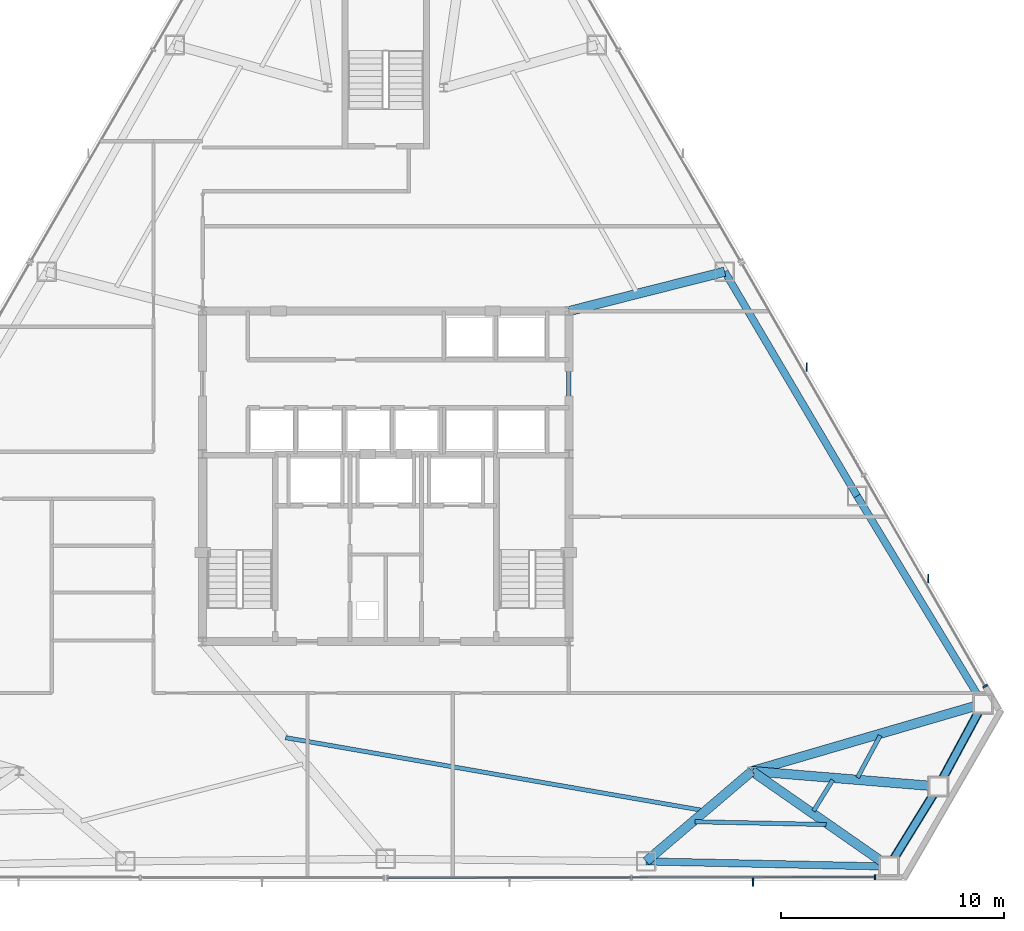
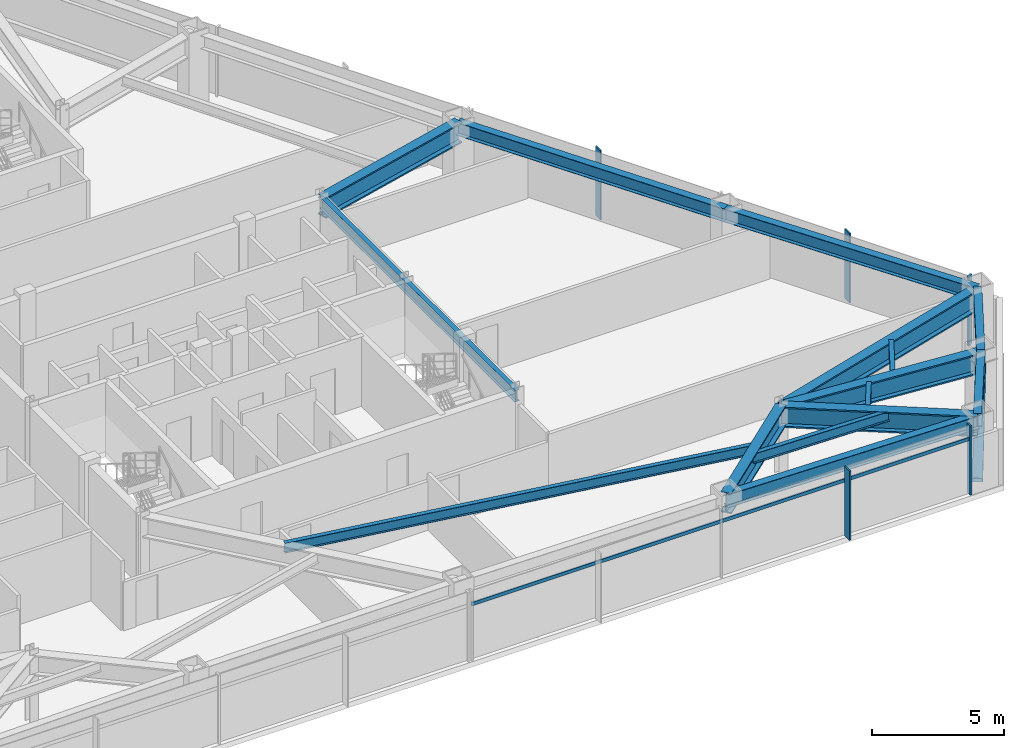
# One storey, part 6 of 12: 15 beams, 8 members, 2 elements without a shape of their own.
"""IFC4 building model written with IfcOpenShell, lengths in metres."""

import ifcopenshell
import ifcopenshell.guid

model = None  # the IFC model being written
_history = None  # IfcOwnerHistory: only IFC2X3 demands one
_inside = {}  # id of a spatial element -> (the spatial element, [elements in it])
_under = {}  # id of a project, library or spatial element -> (it, [spatial elements below it])
_declared = {}  # id of a project -> (the project, [libraries it declares])
_typed = {}  # id of a type object -> (the type object, [elements of that type])
_made_of = {}  # id of a material, layer set ... -> (it, [elements and type objects made of it])


def new_model(schema):
    """Start an empty IFC model of exactly this schema.

    Asked for "IFC4X3", IfcOpenShell would pick the latest addendum, in which some entities
    have other attributes; the version numbers below select the first issue.
    IFC2X3 requires an IfcOwnerHistory on every rooted entity: one is made here for all.
    """
    global model, _history
    if schema == "IFC4X3":
        model = ifcopenshell.file(schema_version=(4, 3, 0, 0))
    else:
        model = ifcopenshell.file(schema=schema)
    _inside.clear()
    _under.clear()
    _declared.clear()
    _typed.clear()
    _made_of.clear()
    _history = None
    if model.schema == "IFC2X3":
        org = make("IfcOrganization", Name="unknown")
        user = make(
            "IfcPersonAndOrganization",
            ThePerson=make("IfcPerson", FamilyName="unknown"),
            TheOrganization=org,
        )
        app = make(
            "IfcApplication",
            ApplicationDeveloper=org,
            Version="unknown",
            ApplicationFullName="unknown",
            ApplicationIdentifier="unknown",
        )
        _history = make(
            "IfcOwnerHistory",
            OwningUser=user,
            OwningApplication=app,
            ChangeAction="ADDED",
            CreationDate=0,
        )
    return model


def make(cls, **values):
    """One entity of the class cls with the attributes given. An attribute that is None is left unset."""
    return model.create_entity(
        cls, **{name: value for name, value in values.items() if value is not None}
    )


def rooted(cls, **values):
    """An entity with a GlobalId (a new one), such as an element, a storey or a relation."""
    return make(cls, GlobalId=ifcopenshell.guid.new(), OwnerHistory=_history, **values)


def si_unit(unit_type, name, prefix=None):
    """IfcSIUnit, for example si_unit("LENGTHUNIT", "METRE", prefix="MILLI")."""
    return make("IfcSIUnit", UnitType=unit_type, Prefix=prefix, Name=name)


def assignment(units):
    """IfcUnitAssignment: the units of a project."""
    return None if units is None else make("IfcUnitAssignment", Units=units)


def point(xyz):
    """IfcCartesianPoint."""
    return None if xyz is None else make("IfcCartesianPoint", Coordinates=xyz)


def direction(xyz):
    """IfcDirection."""
    return None if xyz is None else make("IfcDirection", DirectionRatios=xyz)


def frame(location, z_axis=None, x_axis=None):
    """IfcAxis2Placement3D, a coordinate frame: its origin and axes. An axis left out is left unset."""
    return make(
        "IfcAxis2Placement3D",
        Location=point(location),
        Axis=direction(z_axis),
        RefDirection=direction(x_axis),
    )


def frame_2d(location, x_axis=None):
    """IfcAxis2Placement2D, a coordinate frame in the plane: its origin and x axis."""
    return make(
        "IfcAxis2Placement2D", Location=point(location), RefDirection=direction(x_axis)
    )


def origin():
    """The frame at (0, 0, 0) with its axes left unset."""
    return frame((0.0, 0.0, 0.0))


def origin_2d():
    """The frame at (0, 0) in the plane with its x axis left unset."""
    return frame_2d((0.0, 0.0))


def place(relative_to, where):
    """IfcLocalPlacement: puts the frame where relative to a parent placement (None: the world)."""
    return make(
        "IfcLocalPlacement", PlacementRelTo=relative_to, RelativePlacement=where
    )


def context(
    kind, dimensions, precision=None, world=None, true_north=None, identifier=None
):
    """IfcGeometricRepresentationContext, for example the 3D "Model" context."""
    return make(
        "IfcGeometricRepresentationContext",
        ContextIdentifier=identifier,
        ContextType=kind,
        CoordinateSpaceDimension=dimensions,
        Precision=precision,
        WorldCoordinateSystem=world,
        TrueNorth=true_north,
    )


def subcontext(parent, identifier, kind, view, scale=None):
    """IfcGeometricRepresentationSubContext, for example "Body" below "Model"."""
    return make(
        "IfcGeometricRepresentationSubContext",
        ContextIdentifier=identifier,
        ContextType=kind,
        ParentContext=parent,
        TargetScale=scale,
        TargetView=view,
    )


def project(units=None, contexts=None):
    """IfcProject with its units and contexts."""
    return rooted(
        "IfcProject",
        Name="project",
        RepresentationContexts=contexts,
        UnitsInContext=assignment(units),
    )


def spatial(cls, under=None, at=None, **own):
    """A site, building, storey or space (cls), placed at a placement, below another one or the project."""
    s = rooted(cls, ObjectPlacement=at, **own)
    if under is not None:
        _under.setdefault(under.id(), (under, []))[1].append(s)
    return s


def profile(cls, at=None, kind="AREA", **sizes):
    """A parametric profile (cls). Its sizes go by their IFC names, for example OverallWidth=200.0."""
    return make(cls, ProfileType=kind, Position=at, **sizes)


def rectangle(**sizes):
    """IfcRectangleProfileDef."""
    return profile("IfcRectangleProfileDef", **sizes)


def hollow_rectangle(**sizes):
    """IfcRectangleHollowProfileDef."""
    return profile("IfcRectangleHollowProfileDef", **sizes)


def i_section(**sizes):
    """IfcIShapeProfileDef."""
    return profile("IfcIShapeProfileDef", **sizes)


def extrude(swept, where, along, depth):
    """IfcExtrudedAreaSolid: the profile swept, set in the frame where, extruded along a direction by depth."""
    return make(
        "IfcExtrudedAreaSolid",
        SweptArea=swept,
        Position=where,
        ExtrudedDirection=direction(along),
        Depth=depth,
    )


def shape(context_of_items, identifier, shape_type, items):
    """IfcShapeRepresentation: the items that make up one representation, for example the "Body"."""
    return make(
        "IfcShapeRepresentation",
        ContextOfItems=context_of_items,
        RepresentationIdentifier=identifier,
        RepresentationType=shape_type,
        Items=items,
    )


def source(mapping_origin, context_of_items, identifier, shape_type, items):
    """IfcRepresentationMap: a shape defined once, which mapped items show again and again."""
    return make(
        "IfcRepresentationMap",
        MappingOrigin=mapping_origin,
        MappedRepresentation=shape(context_of_items, identifier, shape_type, items),
    )


def transform(
    local_origin,
    x_axis=None,
    y_axis=None,
    z_axis=None,
    scale=None,
    scale2=None,
    scale3=None,
    uniform=True,
):
    """IfcCartesianTransformationOperator3D, or its non-uniform kind. x_axis, y_axis, z_axis: its Axis1, 2, 3."""
    if uniform:
        return make(
            "IfcCartesianTransformationOperator3D",
            Axis1=direction(x_axis),
            Axis2=direction(y_axis),
            LocalOrigin=point(local_origin),
            Scale=scale,
            Axis3=direction(z_axis),
        )
    return make(
        "IfcCartesianTransformationOperator3DnonUniform",
        Axis1=direction(x_axis),
        Axis2=direction(y_axis),
        LocalOrigin=point(local_origin),
        Scale=scale,
        Axis3=direction(z_axis),
        Scale2=scale2,
        Scale3=scale3,
    )


def mapped(mapping_source, mapping_target):
    """IfcMappedItem: shows the shape of a source again, moved by a transform."""
    return make(
        "IfcMappedItem", MappingSource=mapping_source, MappingTarget=mapping_target
    )


def material(Name=None, Category=None):
    """IfcMaterial."""
    return make("IfcMaterial", Name=Name, Category=Category)


def layer(
    of_material, thickness, ventilated=None, Name=None, Category=None, Priority=None
):
    """IfcMaterialLayer: one layer of a wall or slab, of a material (None: an air gap)."""
    return make(
        "IfcMaterialLayer",
        Material=of_material,
        LayerThickness=thickness,
        IsVentilated=ventilated,
        Name=Name,
        Category=Category,
        Priority=Priority,
    )


def layer_set(layers, Name=None):
    """IfcMaterialLayerSet."""
    return make("IfcMaterialLayerSet", MaterialLayers=layers, LayerSetName=Name)


def material_profile(
    of_material, cross_section, Name=None, Category=None, Priority=None
):
    """IfcMaterialProfile: a cross section and its material."""
    return make(
        "IfcMaterialProfile",
        Name=Name,
        Material=of_material,
        Profile=cross_section,
        Priority=Priority,
        Category=Category,
    )


def profile_set(profiles, Name=None, composite=None):
    """IfcMaterialProfileSet."""
    return make(
        "IfcMaterialProfileSet",
        Name=Name,
        MaterialProfiles=profiles,
        CompositeProfile=composite,
    )


def made_of(thing, what):
    """Note that an element or type object is made of a material, layer set ...; save() writes the relation."""
    if what is not None:
        _made_of.setdefault(what.id(), (what, []))[1].append(thing)
    return thing


def type_object(cls, material=None, **own):
    """A type object (cls), such as IfcWallType, which elements share."""
    return made_of(rooted(cls, **own), material)


def type_shapes(of_type, sources):
    """Give a type object the sources (RepresentationMaps) that its elements show as mapped items."""
    of_type.RepresentationMaps = sources


def element(
    cls,
    number,
    at=None,
    inside=None,
    cuts=None,
    type_object=None,
    material=None,
    context=None,
    identifier="Body",
    shape_type=None,
    held_by="IfcProductDefinitionShape",
    body=None,
    shapes=None,
    **own,
):
    """One element of the class cls, such as IfcWall. Its Tag is "e" and its number.

    at: its placement. inside: the storey or other place that contains it. cuts: it is an
    opening in that element (IfcRelVoidsElement). A single representation is given by context,
    identifier, shape_type and body (its items); several are given by shapes. held_by: the class
    of the entity that holds the representations. save() writes the other relations.
    """
    e = rooted(cls, Tag="e%d" % number, ObjectPlacement=at, **own)
    if body is not None:
        shapes = [shape(context, identifier, shape_type, body)]
    if shapes is not None:
        e.Representation = make(held_by, Representations=shapes)
    if inside is not None:
        _inside.setdefault(inside.id(), (inside, []))[1].append(e)
    if cuts is not None:
        rooted(
            "IfcRelVoidsElement", RelatingBuildingElement=cuts, RelatedOpeningElement=e
        )
    if type_object is not None:
        _typed.setdefault(type_object.id(), (type_object, []))[1].append(e)
    return made_of(e, material)


def aggregate(whole, parts):
    """IfcRelAggregates: a whole, such as a stair, and the parts it consists of."""
    return rooted("IfcRelAggregates", RelatingObject=whole, RelatedObjects=parts)


def save(model, path):
    """Write the relations noted so far, then the file.

    IfcRelAggregates (storeys below a building ...), IfcRelContainedInSpatialStructure (elements
    in a storey), IfcRelDefinesByType, IfcRelAssociatesMaterial and IfcRelDeclares: one each for
    every whole, place, type object, material and project.
    """
    for whole, parts in _under.values():
        aggregate(whole, parts)
    for where, things in _inside.values():
        rooted(
            "IfcRelContainedInSpatialStructure",
            RelatedElements=things,
            RelatingStructure=where,
        )
    for kind, things in _typed.values():
        rooted("IfcRelDefinesByType", RelatedObjects=things, RelatingType=kind)
    for what, things in _made_of.values():
        rooted("IfcRelAssociatesMaterial", RelatedObjects=things, RelatingMaterial=what)
    for by, libraries in _declared.values():
        rooted("IfcRelDeclares", RelatingContext=by, RelatedDefinitions=libraries)
    model.write(path)


model = new_model("IFC4")

# Units and contexts
model_context = context("Model", 3, precision=1e-05, world=origin(), true_north=direction((0.0, 1.0)))
body_context = subcontext(model_context, "Body", "Model", "MODEL_VIEW")
ifc_project = project(units=[si_unit("LENGTHUNIT", "METRE"), si_unit("AREAUNIT", "SQUARE_METRE"), si_unit("VOLUMEUNIT", "CUBIC_METRE"), si_unit("PLANEANGLEUNIT", "RADIAN"), si_unit("MASSUNIT", "GRAM", prefix="KILO")], contexts=[model_context])

# Site, building, storey
site_placement = place(None, origin())
site = spatial("IfcSite", under=ifc_project, at=site_placement, CompositionType="ELEMENT")
building_placement = place(site_placement, origin())
building = spatial("IfcBuilding", under=site, at=building_placement, Name="Varakhsha Concourse Tower", CompositionType="ELEMENT")
storey_placement = place(building_placement, frame((0.0, 0.0, 119.449951171875)))
storey = spatial("IfcBuildingStorey", under=building, at=storey_placement, Name="L34", CompositionType="ELEMENT", Elevation=119.449951171875)

# Beams
ifc_material_1 = material(Name="Structural Steel ASTM A992 Grade 50", Category="steel")
ifc_material_profile_1 = material_profile(ifc_material_1, i_section(OverallWidth=0.19091796875, OverallDepth=0.45703125, WebThickness=0.009033203125, FlangeThickness=0.013916015625, at=origin_2d()), Name="W18X50")
ifc_profile_set_1 = profile_set([ifc_material_profile_1], Name="Structural Steel ASTM A992 Grade 50")
beam_type_1 = type_object("IfcBeamType", Name="BM-JST-W18X50", PredefinedType="JOIST", material=ifc_profile_set_1)
beam_1_placement = place(storey_placement, frame((35.516357421875, 12.1005859375, 2.9814453125), z_axis=(0.985132222832, -0.171797856619, 0.0), x_axis=(0.171797856619, 0.985132222832, 0.0)))
element("IfcBeam", 1, at=beam_1_placement, inside=storey, type_object=beam_type_1, Name="BM-TJST-L34-11", PredefinedType="JOIST", context=body_context, shape_type="SweptSolid", body=[
    extrude(i_section(OverallWidth=0.19091796875, OverallDepth=0.45703125, WebThickness=0.009033203125, FlangeThickness=0.013916015625, at=origin_2d()), origin(), (0.0, 0.0, 1.0), 18.972900390625),
])
beam_2_placement = place(storey_placement, frame((53.857177734375, 8.3349609375, 2.9814453125), z_axis=(0.999775026697, -0.021210751846, 0.0), x_axis=(0.021210751846, 0.999775026697, 0.0)))
element("IfcBeam", 2, at=beam_2_placement, inside=storey, type_object=beam_type_1, Name="BM-TJST-L34-12", PredefinedType="JOIST", context=body_context, shape_type="SweptSolid", body=[
    extrude(i_section(OverallWidth=0.19091796875, OverallDepth=0.45703125, WebThickness=0.009033203125, FlangeThickness=0.013916015625, at=origin_2d()), origin(), (0.0, 0.0, 1.0), 5.8701171875),
])
beam_3_placement = place(storey_placement, frame((59.157470703125, 8.814208984375, 2.9814453125), z_axis=(0.524639543075, 0.851324468016, 0.0), x_axis=(-0.851324468016, 0.524639543075, 0.0)))
element("IfcBeam", 3, at=beam_3_placement, inside=storey, type_object=beam_type_1, Name="BM-TJST-L34-13", PredefinedType="JOIST", context=body_context, shape_type="SweptSolid", body=[
    extrude(i_section(OverallWidth=0.19091796875, OverallDepth=0.45703125, WebThickness=0.009033203125, FlangeThickness=0.013916015625, at=origin_2d()), origin(), (0.0, 0.0, 1.0), 1.6328125),
])
beam_4_placement = place(storey_placement, frame((61.12548828125, 10.312255859375, 2.9814453125), z_axis=(0.474903123938, 0.880038080354, 0.0), x_axis=(-0.880038080354, 0.474903123938, 0.0)))
element("IfcBeam", 4, at=beam_4_placement, inside=storey, type_object=beam_type_1, Name="BM-TJST-L34-14", PredefinedType="JOIST", context=body_context, shape_type="SweptSolid", body=[
    extrude(i_section(OverallWidth=0.19091796875, OverallDepth=0.45703125, WebThickness=0.009033203125, FlangeThickness=0.013916015625, at=origin_2d()), origin(), (0.0, 0.0, 1.0), 2.13818359375),
])
ifc_material_profile_2 = material_profile(ifc_material_1, i_section(OverallWidth=0.423095703125, OverallDepth=0.947998046875, WebThickness=0.0380859375, FlangeThickness=0.06396484375, at=origin_2d()), Name="W36X302")
ifc_profile_set_2 = profile_set([ifc_material_profile_2], Name="Structural Steel ASTM A992 Grade 50")
beam_type_2 = type_object("IfcBeamType", Name="BM-OUTR-W36X302", PredefinedType="USERDEFINED", material=ifc_profile_set_2)
beam_5_placement = place(storey_placement, frame((56.39990234375, 10.60009765625, 2.736083984375), z_axis=(-0.760826549382, -0.648955284866, 0.0), x_axis=(0.648955284866, -0.760826549382, 0.0)))
element("IfcBeam", 5, at=beam_5_placement, inside=storey, type_object=beam_type_2, Name="L34 Radial Floor Girder 12", ObjectType="GIRDER", PredefinedType="USERDEFINED", context=body_context, shape_type="SweptSolid", body=[
    extrude(i_section(OverallWidth=0.423095703125, OverallDepth=0.947998046875, WebThickness=0.0380859375, FlangeThickness=0.06396484375, at=origin_2d()), origin(), (0.0, 0.0, 1.0), 6.226318359375),
])
beam_6_placement = place(storey_placement, frame((56.39990234375, 10.60009765625, 2.736083984375), z_axis=(0.820723448581, -0.57132566978, 0.0), x_axis=(0.57132566978, 0.820723448581, 0.0)))
element("IfcBeam", 6, at=beam_6_placement, inside=storey, type_object=beam_type_2, Name="L34 Radial Floor Girder 13", ObjectType="GIRDER", PredefinedType="USERDEFINED", context=body_context, shape_type="SweptSolid", body=[
    extrude(i_section(OverallWidth=0.423095703125, OverallDepth=0.947998046875, WebThickness=0.0380859375, FlangeThickness=0.06396484375, at=origin_2d()), origin(), (0.0, 0.0, 1.0), 7.47607421875),
])
beam_7_placement = place(storey_placement, frame((56.39990234375, 10.60009765625, 2.736083984375), z_axis=(0.996630888182, -0.082017514729, 0.0), x_axis=(0.082017514729, 0.996630888182, 0.0)))
element("IfcBeam", 7, at=beam_7_placement, inside=storey, type_object=beam_type_2, Name="L34 Radial Floor Girder 14", ObjectType="GIRDER", PredefinedType="USERDEFINED", context=body_context, shape_type="SweptSolid", body=[
    extrude(i_section(OverallWidth=0.423095703125, OverallDepth=0.947998046875, WebThickness=0.0380859375, FlangeThickness=0.06396484375, at=origin_2d()), origin(), (0.0, 0.0, 1.0), 8.37353515625),
])
beam_8_placement = place(storey_placement, frame((56.39990234375, 10.60009765625, 2.736083984375), z_axis=(0.959956092068, 0.280150497593, 0.0), x_axis=(-0.280150497593, 0.959956092068, 0.0)))
element("IfcBeam", 8, at=beam_8_placement, inside=storey, type_object=beam_type_2, Name="L34 Radial Floor Girder 15", ObjectType="GIRDER", PredefinedType="USERDEFINED", context=body_context, shape_type="SweptSolid", body=[
    extrude(i_section(OverallWidth=0.423095703125, OverallDepth=0.947998046875, WebThickness=0.0380859375, FlangeThickness=0.06396484375, at=origin_2d()), origin(), (0.0, 0.0, 1.0), 10.776611328125),
])
beam_9_placement = place(storey_placement, frame((48.199951171875, 31.199951171875, 2.736083984375), z_axis=(0.969508926841, 0.245055995183, 0.0), x_axis=(-0.245055995183, 0.969508926841, 0.0)))
element("IfcBeam", 9, at=beam_9_placement, inside=storey, type_object=beam_type_2, Name="L34 Radial Floor Girder 17", ObjectType="GIRDER", PredefinedType="USERDEFINED", context=body_context, shape_type="SweptSolid", body=[
    extrude(i_section(OverallWidth=0.423095703125, OverallDepth=0.947998046875, WebThickness=0.0380859375, FlangeThickness=0.06396484375, at=origin_2d()), origin(), (0.0, 0.0, 1.0), 7.199951171875),
])
ifc_material_profile_3 = material_profile(ifc_material_1, i_section(OverallWidth=0.2109375, OverallDepth=0.5390625, WebThickness=0.011962890625, FlangeThickness=0.01904296875, at=origin_2d()), Name="W21X73")
ifc_profile_set_3 = profile_set([ifc_material_profile_3], Name="Structural Steel ASTM A992 Grade 50")
beam_type_3 = type_object("IfcBeamType", Name="BM-RAD-W21X73", PredefinedType="BEAM", material=ifc_profile_set_3)
beam_10_placement = place(storey_placement, frame((48.199951171875, 16.39990234375, 2.9404296875), z_axis=(0.0, 1.0, 0.0), x_axis=(-1.0, 0.0, 0.0)))
element("IfcBeam", 10, at=beam_10_placement, inside=storey, type_object=beam_type_3, Name="BM-TCORE-L34-CE", PredefinedType="BEAM", context=body_context, shape_type="SweptSolid", body=[
    extrude(i_section(OverallWidth=0.2109375, OverallDepth=0.5390625, WebThickness=0.011962890625, FlangeThickness=0.01904296875, at=origin_2d()), origin(), (0.0, 0.0, 1.0), 14.800048828125),
])
ifc_material_profile_4 = material_profile(ifc_material_1, i_section(OverallWidth=0.323974609375, OverallDepth=0.611083984375, WebThickness=0.012939453125, FlangeThickness=0.01904296875, at=origin_2d()), Name="W24X104")
ifc_profile_set_4 = profile_set([ifc_material_profile_4], Name="Structural Steel ASTM A992 Grade 50")
beam_type_4 = type_object("IfcBeamType", Name="BM-SPAN-W24X104", PredefinedType="SPANDREL", material=ifc_profile_set_4)
beam_11_placement = place(storey_placement, frame((51.662841796875, 6.5595703125, 2.904541015625), z_axis=(0.999774947376, -0.021214490295, 0.0), x_axis=(0.021214490295, 0.999774947376, 0.0)))
element("IfcBeam", 11, at=beam_11_placement, inside=storey, type_object=beam_type_4, Name="BM-SPAN-L34-12", PredefinedType="SPANDREL", context=body_context, shape_type="SweptSolid", body=[
    extrude(i_section(OverallWidth=0.323974609375, OverallDepth=0.611083984375, WebThickness=0.012939453125, FlangeThickness=0.01904296875, at=origin_2d()), origin(), (0.0, 0.0, 1.0), 10.875244140625),
])
beam_12_placement = place(storey_placement, frame((62.53564453125, 6.328857421875, 2.904541015625), z_axis=(0.524724867896, 0.851271879608, 0.0), x_axis=(-0.851271879608, 0.524724867896, 0.0)))
element("IfcBeam", 12, at=beam_12_placement, inside=storey, type_object=beam_type_4, Name="BM-SPAN-L34-13", PredefinedType="SPANDREL", context=body_context, shape_type="SweptSolid", body=[
    extrude(i_section(OverallWidth=0.323974609375, OverallDepth=0.611083984375, WebThickness=0.012939453125, FlangeThickness=0.01904296875, at=origin_2d()), origin(), (0.0, 0.0, 1.0), 4.210693359375),
])
beam_13_placement = place(storey_placement, frame((64.7451171875, 9.913330078125, 2.904541015625), z_axis=(0.474894827548, 0.880042557362, 0.0), x_axis=(-0.880042557362, 0.474894827548, 0.0)))
element("IfcBeam", 13, at=beam_13_placement, inside=storey, type_object=beam_type_4, Name="BM-SPAN-L34-14", PredefinedType="SPANDREL", context=body_context, shape_type="SweptSolid", body=[
    extrude(i_section(OverallWidth=0.323974609375, OverallDepth=0.611083984375, WebThickness=0.012939453125, FlangeThickness=0.01904296875, at=origin_2d()), origin(), (0.0, 0.0, 1.0), 4.2109375),
])
beam_14_placement = place(storey_placement, frame((66.744873046875, 13.619140625, 2.904541015625), z_axis=(-0.518277337211, 0.855212606159, 0.0), x_axis=(-0.855212606159, -0.518277337211, 0.0)))
element("IfcBeam", 14, at=beam_14_placement, inside=storey, type_object=beam_type_4, Name="BM-SPAN-L34-15", PredefinedType="SPANDREL", context=body_context, shape_type="SweptSolid", body=[
    extrude(i_section(OverallWidth=0.323974609375, OverallDepth=0.611083984375, WebThickness=0.012939453125, FlangeThickness=0.01904296875, at=origin_2d()), origin(), (0.0, 0.0, 1.0), 10.87548828125),
])
beam_15_placement = place(storey_placement, frame((61.1083984375, 22.919921875, 2.904541015625), z_axis=(-0.508260965331, 0.861203106776, 0.0), x_axis=(-0.861203106776, -0.508260965331, 0.0)))
element("IfcBeam", 15, at=beam_15_placement, inside=storey, type_object=beam_type_4, Name="BM-SPAN-L34-16", PredefinedType="SPANDREL", context=body_context, shape_type="SweptSolid", body=[
    extrude(i_section(OverallWidth=0.323974609375, OverallDepth=0.611083984375, WebThickness=0.012939453125, FlangeThickness=0.01904296875, at=origin_2d()), origin(), (0.0, 0.0, 1.0), 11.663330078125),
])

# Members
ifc_material_2 = material(Name="Structural Steel ASTM A500 Grade C", Category="steel")
ifc_material_profile_5 = material_profile(ifc_material_2, hollow_rectangle(XDim=0.39990234375, YDim=0.39990234375, WallThickness=0.01611328125, at=origin_2d()), Name="HSS 400x400x16")
ifc_profile_set_5 = profile_set([ifc_material_profile_5], Name="Structural Steel ASTM A500 Grade C")
member_type_1 = type_object("IfcMemberType", Name="MB-TUBE-HSS400", PredefinedType="BRACE", material=ifc_profile_set_5)
shared_shape_1 = source(origin(), body_context, "Body", "SweptSolid", [
    extrude(hollow_rectangle(XDim=0.39990234375, YDim=0.39990234375, WallThickness=0.01611328125, at=origin_2d()), origin(), (0.0, 0.0, 1.0), 5.05126953125),
])
type_shapes(member_type_1, [shared_shape_1])
for number, where, z_axis, x_axis, name in (
    (16, (62.53564453125, 6.328857421875, 0.1201171875), (0.43741616757, 0.709629190306, 0.552352703093), (-0.851271879608, 0.524724867896, 0.0), "L34 Wind-Corner Tube Brace B05"),
    (17, (66.744873046875, 13.619140625, 0.1201171875), (-0.395883594231, -0.733624353173, 0.552332769488), (0.880042557362, -0.474894827548, 0.0), "L34 Wind-Corner Tube Brace B06"),
):
    element("IfcMember", number, at=place(storey_placement, frame(where, z_axis=z_axis, x_axis=x_axis)), inside=storey, type_object=member_type_1, Name=name, PredefinedType="BRACE", context=body_context, shape_type="MappedRepresentation", body=[
        mapped(shared_shape_1, transform((0.0, 0.0, 0.0), scale=1.0)),
    ])

# Curtain wall, member
ifc_material_3 = material(Name="Anodised Bronze Architectural Aluminium AA 6063-T6", Category="aluminium")
ifc_layer = layer(ifc_material_3, 0.2099609375, Name="CW-SYS-04")
ifc_layer_set = layer_set([ifc_layer], Name="Anodised Bronze Architectural Aluminium AA 6063-T6")
curtain_wall_type = type_object("IfcCurtainWallType", Name="CW-SYS-04", PredefinedType="NOTDEFINED", material=ifc_layer_set)
curtain_wall_1_placement = place(storey_placement, origin())
curtain_wall_1 = element("IfcCurtainWall", 18, at=curtain_wall_1_placement, inside=storey, type_object=curtain_wall_type, Name="L34 Crystal Curtain Wall F6", PredefinedType="NOTDEFINED")
ifc_material_profile_6 = material_profile(ifc_material_3, rectangle(XDim=0.074951171875, YDim=0.219970703125, at=origin_2d()), Name="CWM-220X75")
ifc_profile_set_6 = profile_set([ifc_material_profile_6], Name="Anodised Bronze Architectural Aluminium AA 6063-T6")
member_type_2 = type_object("IfcMemberType", Name="CWM-220X75", PredefinedType="MULLION", material=ifc_profile_set_6)
shared_shape_2 = source(origin(), body_context, "Body", "SweptSolid", [
    extrude(rectangle(XDim=0.074951171875, YDim=0.219970703125, at=origin_2d()), origin(), (0.0, 0.0, 1.0), 3.2099609375),
])
type_shapes(member_type_2, [shared_shape_2])
member_1_placement = place(storey_placement, frame((61.908203125, 5.857421875, 0.0), z_axis=(0.0, 0.0, 1.0), x_axis=(-0.999998476913, -0.001745328366, 0.0)))
member_1 = element("IfcMember", 19, at=member_1_placement, type_object=member_type_2, Name="CW-L34-F6 Mullion 00", PredefinedType="MULLION", context=body_context, shape_type="MappedRepresentation", body=[
    mapped(shared_shape_2, transform((0.0, 0.0, 0.0), scale=1.0)),
])

curtain_wall_2_placement = place(storey_placement, origin())
curtain_wall_2 = element("IfcCurtainWall", 20, at=curtain_wall_2_placement, inside=storey, type_object=curtain_wall_type, Name="L34 Crystal Curtain Wall F8", PredefinedType="NOTDEFINED")
member_2_placement = place(storey_placement, frame((66.839111328125, 14.398193359375, 0.0), z_axis=(0.0, 0.0, 1.0), x_axis=(0.498489252773, -0.866895878909, 0.0)))
member_2 = element("IfcMember", 21, at=member_2_placement, type_object=member_type_2, Name="CW-L34-F8 Mullion 02", PredefinedType="MULLION", context=body_context, shape_type="MappedRepresentation", body=[
    mapped(shared_shape_2, transform((0.0, 0.0, 0.0), scale=1.0)),
])

# Member
ifc_material_profile_7 = material_profile(ifc_material_3, rectangle(XDim=0.06005859375, YDim=0.3798828125, at=origin_2d()), Name="FIN-BRZ-380")
ifc_profile_set_7 = profile_set([ifc_material_profile_7], Name="Anodised Bronze Architectural Aluminium AA 6063-T6")
member_type_3 = type_object("IfcMemberType", Name="FIN-BRZ-380", PredefinedType="USERDEFINED", material=ifc_profile_set_7)
shared_shape_3 = source(origin(), body_context, "Body", "SweptSolid", [
    extrude(rectangle(XDim=0.06005859375, YDim=0.3798828125, at=origin_2d()), origin(), (0.0, 0.0, 1.0), 3.2099609375),
])
type_shapes(member_type_3, [shared_shape_3])
member_3_placement = place(storey_placement, frame((56.451416015625, 5.64306640625, 0.0), z_axis=(0.0, 0.0, 1.0), x_axis=(1.0, 0.0, 0.0)))
member_3 = element("IfcMember", 22, at=member_3_placement, type_object=member_type_3, Name="L34 Anodised Bronze Solar Fin F6-1", ObjectType="SOLAR FIN", PredefinedType="USERDEFINED", context=body_context, shape_type="MappedRepresentation", body=[
    mapped(shared_shape_3, transform((0.0, 0.0, 0.0), scale=1.0)),
])

member_4_placement = place(storey_placement, frame((58.85595703125, 28.692626953125, 0.0), z_axis=(0.0, 0.0, 1.0), x_axis=(1.0, 0.0, 0.0)))
member_4 = element("IfcMember", 23, at=member_4_placement, type_object=member_type_3, Name="L34 Anodised Bronze Solar Fin F8-1", ObjectType="SOLAR FIN", PredefinedType="USERDEFINED", context=body_context, shape_type="MappedRepresentation", body=[
    mapped(shared_shape_3, transform((0.0, 0.0, 0.0), scale=1.0)),
])

member_5_placement = place(storey_placement, frame((64.296630859375, 19.231201171875, 0.0), z_axis=(0.0, 0.0, 1.0), x_axis=(1.0, 0.0, 0.0)))
member_5 = element("IfcMember", 24, at=member_5_placement, type_object=member_type_3, Name="L34 Anodised Bronze Solar Fin F8-2", ObjectType="SOLAR FIN", PredefinedType="USERDEFINED", context=body_context, shape_type="MappedRepresentation", body=[
    mapped(shared_shape_3, transform((0.0, 0.0, 0.0), scale=1.0)),
])

aggregate(curtain_wall_2, [member_2, member_4, member_5])

ifc_material_profile_8 = material_profile(ifc_material_3, rectangle(XDim=0.06494140625, YDim=0.159912109375, at=origin_2d()), Name="CWT-160X65")
ifc_profile_set_8 = profile_set([ifc_material_profile_8], Name="Anodised Bronze Architectural Aluminium AA 6063-T6")
member_type_4 = type_object("IfcMemberType", Name="CWT-160X65", PredefinedType="USERDEFINED", material=ifc_profile_set_8)
shared_shape_4 = source(origin(), body_context, "Body", "SweptSolid", [
    extrude(rectangle(XDim=0.06494140625, YDim=0.159912109375, at=origin_2d()), origin(), (0.0, 0.0, 1.0), 21.82861328125),
])
type_shapes(member_type_4, [shared_shape_4])
member_6_placement = place(storey_placement, frame((61.908203125, 5.857421875, 2.56005859375), z_axis=(-0.99999847789, -0.001744768623, 0.0), x_axis=(0.001744768623, -0.99999847789, 0.0)))
member_6 = element("IfcMember", 25, at=member_6_placement, type_object=member_type_4, Name="CW-L34-F6 Transom 01", ObjectType="TRANSOM", PredefinedType="USERDEFINED", context=body_context, shape_type="MappedRepresentation", body=[
    mapped(shared_shape_4, transform((0.0, 0.0, 0.0), scale=1.0)),
])

aggregate(curtain_wall_1, [member_1, member_6, member_3])

save(model, "model.ifc")
